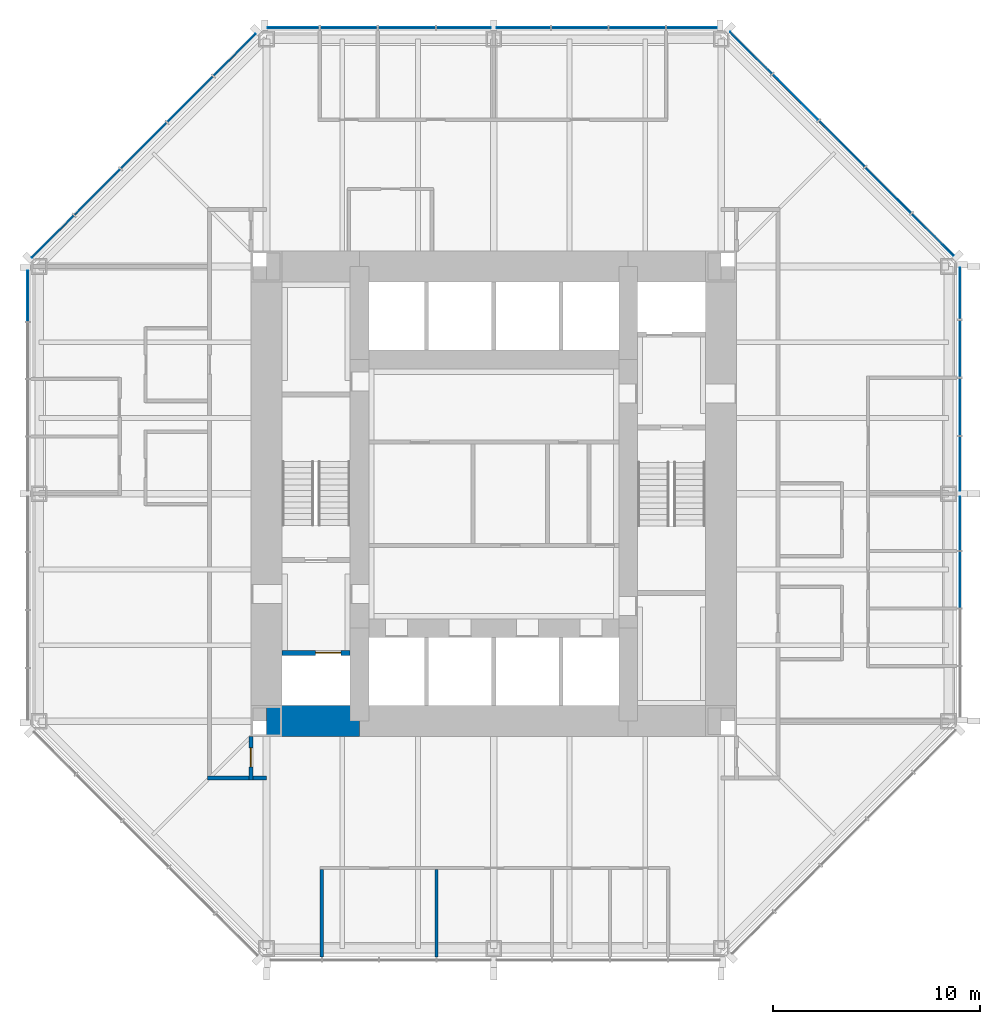
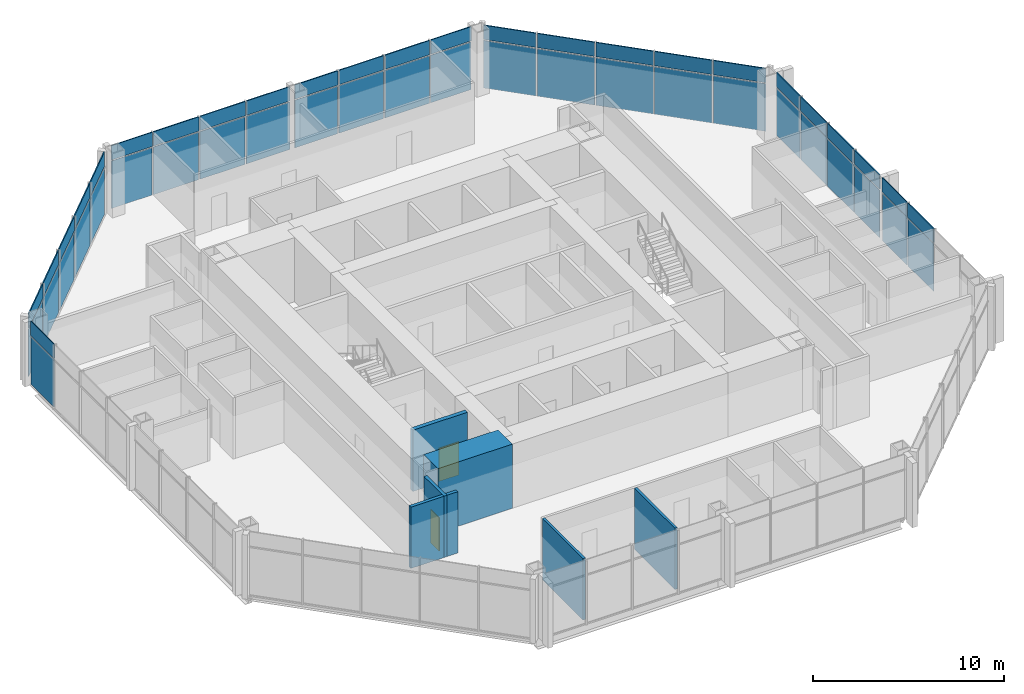
# One storey, part 8 of 12: 50 plates, 6 walls, 2 doors, 2 openings, 5 elements without a shape of their own.
"""IFC4 building model written with IfcOpenShell, lengths in metres."""

from ifc_helpers import new_model, si_unit, direction, frame, frame_2d, origin, origin_2d, place, context, subcontext, project, spatial, rectangle, extrude, material, layer, layer_set, type_object, element, fill, aggregate, save


model = new_model("IFC4")

# Units and contexts
model_context = context("Model", 3, precision=1e-05, world=origin(), true_north=direction((0.0, 1.0)))
body_context = subcontext(model_context, "Body", "Model", "MODEL_VIEW")
ifc_project = project(units=[si_unit("LENGTHUNIT", "METRE"), si_unit("AREAUNIT", "SQUARE_METRE"), si_unit("VOLUMEUNIT", "CUBIC_METRE"), si_unit("PLANEANGLEUNIT", "RADIAN"), si_unit("MASSUNIT", "GRAM", prefix="KILO")], contexts=[model_context])

# Site, building, storey
site_placement = place(None, origin())
site = spatial("IfcSite", under=ifc_project, at=site_placement, CompositionType="ELEMENT")
building_placement = place(site_placement, origin())
building = spatial("IfcBuilding", under=site, at=building_placement, Name="Trevanion Tower", CompositionType="ELEMENT")
storey_placement = place(building_placement, frame((0.0, 0.0, 145.89990234375)))
storey = spatial("IfcBuildingStorey", under=building, at=storey_placement, Name="L34", CompositionType="ELEMENT", Elevation=145.89990234375)

# Curtain wall, plates
ifc_material_1 = material(Name="Aluminium and glass", Category="aluminium")
curtain_wall_type = type_object("IfcCurtainWallType", Name="CW2 curtain wall", PredefinedType="USERDEFINED", material=ifc_material_1)
curtain_wall_1_placement = place(storey_placement, origin())
curtain_wall_1 = element("IfcCurtainWall", 1, at=curtain_wall_1_placement, inside=storey, type_object=curtain_wall_type, Name="CW2 L34 0", ObjectType="UNITISED CURTAIN WALL", PredefinedType="USERDEFINED")
ifc_material_2 = material(Name="Aluminium spandrel panel", Category="aluminium")
ifc_layer_1 = layer(ifc_material_2, 0.06005859375)
ifc_layer_set_1 = layer_set([ifc_layer_1], Name="CW2 spandrel panel")
plate_type_1 = type_object("IfcPlateType", Name="CW2 spandrel panel", PredefinedType="CURTAIN_PANEL", material=ifc_layer_set_1)
plate_1_placement = place(storey_placement, frame((22.550048828125, -4.16162109375, 2.99755859375), z_axis=(0.0, 0.0, 1.0), x_axis=(0.0, 1.0, 0.0)))
plate_1 = element("IfcPlate", 2, at=plate_1_placement, type_object=plate_type_1, Name="CW2 panel 3.2", PredefinedType="CURTAIN_PANEL", context=body_context, shape_type="SweptSolid", body=[
    extrude(rectangle(XDim=2.699462890625, YDim=0.06005859375, at=origin_2d()), origin(), (0.0, 0.0, 1.0), 0.91259765625),
])
plate_2_placement = place(storey_placement, frame((22.550048828125, -1.443603515625, 2.99755859375), z_axis=(0.0, 0.0, 1.0), x_axis=(0.0, 1.0, 0.0)))
plate_2 = element("IfcPlate", 3, at=plate_2_placement, type_object=plate_type_1, Name="CW2 panel 4.2", PredefinedType="CURTAIN_PANEL", context=body_context, shape_type="SweptSolid", body=[
    extrude(rectangle(XDim=2.5869140625, YDim=0.06005859375, at=origin_2d()), origin(), (0.0, 0.0, 1.0), 0.91259765625),
])
plate_3_placement = place(storey_placement, frame((22.550048828125, 1.459716796875, 2.99755859375), z_axis=(0.0, 0.0, 1.0), x_axis=(0.0, 1.0, 0.0)))
plate_3 = element("IfcPlate", 4, at=plate_3_placement, type_object=plate_type_1, Name="CW2 panel 5.2", PredefinedType="CURTAIN_PANEL", context=body_context, shape_type="SweptSolid", body=[
    extrude(rectangle(XDim=2.619384765625, YDim=0.06005859375, at=origin_2d()), origin(), (0.0, 0.0, 1.0), 0.91259765625),
])
plate_4_placement = place(storey_placement, frame((22.550048828125, 4.21044921875, 2.99755859375), z_axis=(0.0, 0.0, 1.0), x_axis=(0.0, 1.0, 0.0)))
plate_4 = element("IfcPlate", 5, at=plate_4_placement, type_object=plate_type_1, Name="CW2 panel 6.2", PredefinedType="CURTAIN_PANEL", context=body_context, shape_type="SweptSolid", body=[
    extrude(rectangle(XDim=2.73193359375, YDim=0.06005859375, at=origin_2d()), origin(), (0.0, 0.0, 1.0), 0.91259765625),
])
plate_5_placement = place(storey_placement, frame((22.550048828125, 7.017333984375, 2.99755859375), z_axis=(0.0, 0.0, 1.0), x_axis=(0.0, 1.0, 0.0)))
plate_5 = element("IfcPlate", 6, at=plate_5_placement, type_object=plate_type_1, Name="CW2 panel 7.2", PredefinedType="CURTAIN_PANEL", context=body_context, shape_type="SweptSolid", body=[
    extrude(rectangle(XDim=2.73193359375, YDim=0.06005859375, at=origin_2d()), origin(), (0.0, 0.0, 1.0), 0.91259765625),
])
plate_6_placement = place(storey_placement, frame((22.550048828125, 9.693115234375, 2.99755859375), z_axis=(0.0, 0.0, 1.0), x_axis=(0.0, 1.0, 0.0)))
plate_6 = element("IfcPlate", 7, at=plate_6_placement, type_object=plate_type_1, Name="CW2 panel 8.2", PredefinedType="CURTAIN_PANEL", context=body_context, shape_type="SweptSolid", body=[
    extrude(rectangle(XDim=2.469482421875, YDim=0.06005859375, at=origin_2d()), origin(), (0.0, 0.0, 1.0), 0.91259765625),
])

curtain_wall_2_placement = place(storey_placement, origin())
curtain_wall_2 = element("IfcCurtainWall", 8, at=curtain_wall_2_placement, inside=storey, type_object=curtain_wall_type, Name="CW2 L34 1", ObjectType="UNITISED CURTAIN WALL", PredefinedType="USERDEFINED")
plate_7_placement = place(storey_placement, frame((21.2421875, 12.53564453125, 2.99755859375), z_axis=(0.0, 0.0, 1.0), x_axis=(-0.707106781187, 0.707106781187, 0.0)))
plate_7 = element("IfcPlate", 9, at=plate_7_placement, type_object=plate_type_1, Name="CW2 panel 1.2", PredefinedType="CURTAIN_PANEL", context=body_context, shape_type="SweptSolid", body=[
    extrude(rectangle(XDim=2.8388671875, YDim=0.06005859375, at=origin_2d()), origin(), (0.0, 0.0, 1.0), 0.91259765625),
])
plate_8_placement = place(storey_placement, frame((19.089111328125, 14.688720703125, 2.99755859375), z_axis=(0.0, 0.0, 1.0), x_axis=(-0.707106781187, 0.707106781187, 0.0)))
plate_8 = element("IfcPlate", 10, at=plate_8_placement, type_object=plate_type_1, Name="CW2 panel 2.2", PredefinedType="CURTAIN_PANEL", context=body_context, shape_type="SweptSolid", body=[
    extrude(rectangle(XDim=3.101318359375, YDim=0.06005859375, at=origin_2d()), origin(), (0.0, 0.0, 1.0), 0.91259765625),
])
plate_9_placement = place(storey_placement, frame((16.843017578125, 16.934814453125, 2.99755859375), z_axis=(0.0, 0.0, 1.0), x_axis=(-0.707106781187, 0.707106781187, 0.0)))
plate_9 = element("IfcPlate", 11, at=plate_9_placement, type_object=plate_type_1, Name="CW2 panel 3.2", PredefinedType="CURTAIN_PANEL", context=body_context, shape_type="SweptSolid", body=[
    extrude(rectangle(XDim=3.101318359375, YDim=0.06005859375, at=origin_2d()), origin(), (0.0, 0.0, 1.0), 0.91259765625),
])
plate_10_placement = place(storey_placement, frame((14.596923828125, 19.180908203125, 2.99755859375), z_axis=(0.0, 0.0, 1.0), x_axis=(-0.707106781187, 0.707106781187, 0.0)))
plate_10 = element("IfcPlate", 12, at=plate_10_placement, type_object=plate_type_1, Name="CW2 panel 4.2", PredefinedType="CURTAIN_PANEL", context=body_context, shape_type="SweptSolid", body=[
    extrude(rectangle(XDim=3.101318359375, YDim=0.06005859375, at=origin_2d()), origin(), (0.0, 0.0, 1.0), 0.91259765625),
])
plate_11_placement = place(storey_placement, frame((12.443603515625, 21.334228515625, 2.99755859375), z_axis=(0.0, 0.0, 1.0), x_axis=(-0.707106781187, 0.707106781187, 0.0)))
plate_11 = element("IfcPlate", 13, at=plate_11_placement, type_object=plate_type_1, Name="CW2 panel 5.2", PredefinedType="CURTAIN_PANEL", context=body_context, shape_type="SweptSolid", body=[
    extrude(rectangle(XDim=2.8388671875, YDim=0.06005859375, at=origin_2d()), origin(), (0.0, 0.0, 1.0), 0.91259765625),
])

curtain_wall_3_placement = place(storey_placement, origin())
curtain_wall_3 = element("IfcCurtainWall", 14, at=curtain_wall_3_placement, inside=storey, type_object=curtain_wall_type, Name="CW2 L34 2", ObjectType="UNITISED CURTAIN WALL", PredefinedType="USERDEFINED")
plate_12_placement = place(storey_placement, frame((9.579345703125, 22.550048828125, 2.99755859375), z_axis=(0.0, 0.0, 1.0), x_axis=(-1.0, 0.0, 0.0)))
plate_12 = element("IfcPlate", 15, at=plate_12_placement, type_object=plate_type_1, Name="CW2 panel 1.2", PredefinedType="CURTAIN_PANEL", context=body_context, shape_type="SweptSolid", body=[
    extrude(rectangle(XDim=2.43701171875, YDim=0.06005859375, at=origin_2d()), origin(), (0.0, 0.0, 1.0), 0.91259765625),
])
plate_13_placement = place(storey_placement, frame((6.93603515625, 22.550048828125, 2.99755859375), z_axis=(0.0, 0.0, 1.0), x_axis=(-1.0, 0.0, 0.0)))
plate_13 = element("IfcPlate", 16, at=plate_13_placement, type_object=plate_type_1, Name="CW2 panel 2.2", PredefinedType="CURTAIN_PANEL", context=body_context, shape_type="SweptSolid", body=[
    extrude(rectangle(XDim=2.699462890625, YDim=0.06005859375, at=origin_2d()), origin(), (0.0, 0.0, 1.0), 0.91259765625),
])
plate_14_placement = place(storey_placement, frame((4.16162109375, 22.550048828125, 2.99755859375), z_axis=(0.0, 0.0, 1.0), x_axis=(-1.0, 0.0, 0.0)))
plate_14 = element("IfcPlate", 17, at=plate_14_placement, type_object=plate_type_1, Name="CW2 panel 3.2", PredefinedType="CURTAIN_PANEL", context=body_context, shape_type="SweptSolid", body=[
    extrude(rectangle(XDim=2.699462890625, YDim=0.06005859375, at=origin_2d()), origin(), (0.0, 0.0, 1.0), 0.91259765625),
])
plate_15_placement = place(storey_placement, frame((1.443603515625, 22.550048828125, 2.99755859375), z_axis=(0.0, 0.0, 1.0), x_axis=(-1.0, 0.0, 0.0)))
plate_15 = element("IfcPlate", 18, at=plate_15_placement, type_object=plate_type_1, Name="CW2 panel 4.2", PredefinedType="CURTAIN_PANEL", context=body_context, shape_type="SweptSolid", body=[
    extrude(rectangle(XDim=2.5869140625, YDim=0.06005859375, at=origin_2d()), origin(), (0.0, 0.0, 1.0), 0.91259765625),
])
plate_16_placement = place(storey_placement, frame((-1.459716796875, 22.550048828125, 2.99755859375), z_axis=(0.0, 0.0, 1.0), x_axis=(-1.0, 0.0, 0.0)))
plate_16 = element("IfcPlate", 19, at=plate_16_placement, type_object=plate_type_1, Name="CW2 panel 5.2", PredefinedType="CURTAIN_PANEL", context=body_context, shape_type="SweptSolid", body=[
    extrude(rectangle(XDim=2.619384765625, YDim=0.06005859375, at=origin_2d()), origin(), (0.0, 0.0, 1.0), 0.91259765625),
])
plate_17_placement = place(storey_placement, frame((-4.21044921875, 22.550048828125, 2.99755859375), z_axis=(0.0, 0.0, 1.0), x_axis=(-1.0, 0.0, 0.0)))
plate_17 = element("IfcPlate", 20, at=plate_17_placement, type_object=plate_type_1, Name="CW2 panel 6.2", PredefinedType="CURTAIN_PANEL", context=body_context, shape_type="SweptSolid", body=[
    extrude(rectangle(XDim=2.73193359375, YDim=0.06005859375, at=origin_2d()), origin(), (0.0, 0.0, 1.0), 0.91259765625),
])
plate_18_placement = place(storey_placement, frame((-7.017333984375, 22.550048828125, 2.99755859375), z_axis=(0.0, 0.0, 1.0), x_axis=(-1.0, 0.0, 0.0)))
plate_18 = element("IfcPlate", 21, at=plate_18_placement, type_object=plate_type_1, Name="CW2 panel 7.2", PredefinedType="CURTAIN_PANEL", context=body_context, shape_type="SweptSolid", body=[
    extrude(rectangle(XDim=2.73193359375, YDim=0.06005859375, at=origin_2d()), origin(), (0.0, 0.0, 1.0), 0.91259765625),
])
plate_19_placement = place(storey_placement, frame((-9.693115234375, 22.550048828125, 2.99755859375), z_axis=(0.0, 0.0, 1.0), x_axis=(-1.0, 0.0, 0.0)))
plate_19 = element("IfcPlate", 22, at=plate_19_placement, type_object=plate_type_1, Name="CW2 panel 8.2", PredefinedType="CURTAIN_PANEL", context=body_context, shape_type="SweptSolid", body=[
    extrude(rectangle(XDim=2.469482421875, YDim=0.06005859375, at=origin_2d()), origin(), (0.0, 0.0, 1.0), 0.91259765625),
])

curtain_wall_4_placement = place(storey_placement, origin())
curtain_wall_4 = element("IfcCurtainWall", 23, at=curtain_wall_4_placement, inside=storey, type_object=curtain_wall_type, Name="CW2 L34 3", ObjectType="UNITISED CURTAIN WALL", PredefinedType="USERDEFINED")
plate_20_placement = place(storey_placement, frame((-12.53564453125, 21.2421875, 2.99755859375), z_axis=(0.0, 0.0, 1.0), x_axis=(-0.707106781187, -0.707106781187, 0.0)))
plate_20 = element("IfcPlate", 24, at=plate_20_placement, type_object=plate_type_1, Name="CW2 panel 1.2", PredefinedType="CURTAIN_PANEL", context=body_context, shape_type="SweptSolid", body=[
    extrude(rectangle(XDim=2.8388671875, YDim=0.06005859375, at=origin_2d()), origin(), (0.0, 0.0, 1.0), 0.91259765625),
])
plate_21_placement = place(storey_placement, frame((-14.688720703125, 19.089111328125, 2.99755859375), z_axis=(0.0, 0.0, 1.0), x_axis=(-0.707106781187, -0.707106781187, 0.0)))
plate_21 = element("IfcPlate", 25, at=plate_21_placement, type_object=plate_type_1, Name="CW2 panel 2.2", PredefinedType="CURTAIN_PANEL", context=body_context, shape_type="SweptSolid", body=[
    extrude(rectangle(XDim=3.101318359375, YDim=0.06005859375, at=origin_2d()), origin(), (0.0, 0.0, 1.0), 0.91259765625),
])
plate_22_placement = place(storey_placement, frame((-16.934814453125, 16.843017578125, 2.99755859375), z_axis=(0.0, 0.0, 1.0), x_axis=(-0.707106781187, -0.707106781187, 0.0)))
plate_22 = element("IfcPlate", 26, at=plate_22_placement, type_object=plate_type_1, Name="CW2 panel 3.2", PredefinedType="CURTAIN_PANEL", context=body_context, shape_type="SweptSolid", body=[
    extrude(rectangle(XDim=3.101318359375, YDim=0.06005859375, at=origin_2d()), origin(), (0.0, 0.0, 1.0), 0.91259765625),
])
plate_23_placement = place(storey_placement, frame((-19.180908203125, 14.596923828125, 2.99755859375), z_axis=(0.0, 0.0, 1.0), x_axis=(-0.707106781187, -0.707106781187, 0.0)))
plate_23 = element("IfcPlate", 27, at=plate_23_placement, type_object=plate_type_1, Name="CW2 panel 4.2", PredefinedType="CURTAIN_PANEL", context=body_context, shape_type="SweptSolid", body=[
    extrude(rectangle(XDim=3.101318359375, YDim=0.06005859375, at=origin_2d()), origin(), (0.0, 0.0, 1.0), 0.91259765625),
])
plate_24_placement = place(storey_placement, frame((-21.334228515625, 12.443603515625, 2.99755859375), z_axis=(0.0, 0.0, 1.0), x_axis=(-0.707106781187, -0.707106781187, 0.0)))
plate_24 = element("IfcPlate", 28, at=plate_24_placement, type_object=plate_type_1, Name="CW2 panel 5.2", PredefinedType="CURTAIN_PANEL", context=body_context, shape_type="SweptSolid", body=[
    extrude(rectangle(XDim=2.8388671875, YDim=0.06005859375, at=origin_2d()), origin(), (0.0, 0.0, 1.0), 0.91259765625),
])

# Curtain wall, plate
curtain_wall_5_placement = place(storey_placement, origin())
curtain_wall_5 = element("IfcCurtainWall", 29, at=curtain_wall_5_placement, inside=storey, type_object=curtain_wall_type, Name="CW2 L34 4", ObjectType="UNITISED CURTAIN WALL", PredefinedType="USERDEFINED")
plate_25_placement = place(storey_placement, frame((-22.550048828125, 9.579345703125, 2.99755859375), z_axis=(0.0, 0.0, 1.0), x_axis=(0.0, -1.0, 0.0)))
plate_25 = element("IfcPlate", 30, at=plate_25_placement, type_object=plate_type_1, Name="CW2 panel 1.2", PredefinedType="CURTAIN_PANEL", context=body_context, shape_type="SweptSolid", body=[
    extrude(rectangle(XDim=2.43701171875, YDim=0.06005859375, at=origin_2d()), origin(), (0.0, 0.0, 1.0), 0.91259765625),
])

# Plate
ifc_material_3 = material(Name="Insulating glass unit", Category="glass")
ifc_layer_2 = layer(ifc_material_3, 0.028076171875)
ifc_layer_set_2 = layer_set([ifc_layer_2], Name="CW2 vision panel")
plate_type_2 = type_object("IfcPlateType", Name="CW2 vision panel", PredefinedType="CURTAIN_PANEL", material=ifc_layer_set_2)
plate_26_placement = place(storey_placement, frame((22.550048828125, -4.16162109375, -0.114990234375), z_axis=(0.0, 0.0, 1.0), x_axis=(0.0, 1.0, 0.0)))
plate_26 = element("IfcPlate", 31, at=plate_26_placement, type_object=plate_type_2, Name="CW2 panel 3.1", PredefinedType="CURTAIN_PANEL", context=body_context, shape_type="SweptSolid", body=[
    extrude(rectangle(XDim=2.699462890625, YDim=0.028076171875, at=origin_2d()), origin(), (0.0, 0.0, 1.0), 3.03759765625),
])

plate_27_placement = place(storey_placement, frame((22.550048828125, -1.443603515625, -0.114990234375), z_axis=(0.0, 0.0, 1.0), x_axis=(0.0, 1.0, 0.0)))
plate_27 = element("IfcPlate", 32, at=plate_27_placement, type_object=plate_type_2, Name="CW2 panel 4.1", PredefinedType="CURTAIN_PANEL", context=body_context, shape_type="SweptSolid", body=[
    extrude(rectangle(XDim=2.5869140625, YDim=0.028076171875, at=origin_2d()), origin(), (0.0, 0.0, 1.0), 3.03759765625),
])

plate_28_placement = place(storey_placement, frame((22.550048828125, 1.459716796875, -0.114990234375), z_axis=(0.0, 0.0, 1.0), x_axis=(0.0, 1.0, 0.0)))
plate_28 = element("IfcPlate", 33, at=plate_28_placement, type_object=plate_type_2, Name="CW2 panel 5.1", PredefinedType="CURTAIN_PANEL", context=body_context, shape_type="SweptSolid", body=[
    extrude(rectangle(XDim=2.619384765625, YDim=0.028076171875, at=origin_2d()), origin(), (0.0, 0.0, 1.0), 3.03759765625),
])

plate_29_placement = place(storey_placement, frame((22.550048828125, 4.21044921875, -0.114990234375), z_axis=(0.0, 0.0, 1.0), x_axis=(0.0, 1.0, 0.0)))
plate_29 = element("IfcPlate", 34, at=plate_29_placement, type_object=plate_type_2, Name="CW2 panel 6.1", PredefinedType="CURTAIN_PANEL", context=body_context, shape_type="SweptSolid", body=[
    extrude(rectangle(XDim=2.73193359375, YDim=0.028076171875, at=origin_2d()), origin(), (0.0, 0.0, 1.0), 3.03759765625),
])

plate_30_placement = place(storey_placement, frame((22.550048828125, 7.017333984375, -0.114990234375), z_axis=(0.0, 0.0, 1.0), x_axis=(0.0, 1.0, 0.0)))
plate_30 = element("IfcPlate", 35, at=plate_30_placement, type_object=plate_type_2, Name="CW2 panel 7.1", PredefinedType="CURTAIN_PANEL", context=body_context, shape_type="SweptSolid", body=[
    extrude(rectangle(XDim=2.73193359375, YDim=0.028076171875, at=origin_2d()), origin(), (0.0, 0.0, 1.0), 3.03759765625),
])

plate_31_placement = place(storey_placement, frame((22.550048828125, 9.693115234375, -0.114990234375), z_axis=(0.0, 0.0, 1.0), x_axis=(0.0, 1.0, 0.0)))
plate_31 = element("IfcPlate", 36, at=plate_31_placement, type_object=plate_type_2, Name="CW2 panel 8.1", PredefinedType="CURTAIN_PANEL", context=body_context, shape_type="SweptSolid", body=[
    extrude(rectangle(XDim=2.469482421875, YDim=0.028076171875, at=origin_2d()), origin(), (0.0, 0.0, 1.0), 3.03759765625),
])

aggregate(curtain_wall_1, [plate_26, plate_1, plate_27, plate_2, plate_28, plate_3, plate_29, plate_4, plate_30, plate_5, plate_31, plate_6])

plate_32_placement = place(storey_placement, frame((21.2421875, 12.53564453125, -0.114990234375), z_axis=(0.0, 0.0, 1.0), x_axis=(-0.707106781187, 0.707106781187, 0.0)))
plate_32 = element("IfcPlate", 37, at=plate_32_placement, type_object=plate_type_2, Name="CW2 panel 1.1", PredefinedType="CURTAIN_PANEL", context=body_context, shape_type="SweptSolid", body=[
    extrude(rectangle(XDim=2.8388671875, YDim=0.028076171875, at=origin_2d()), origin(), (0.0, 0.0, 1.0), 3.03759765625),
])

plate_33_placement = place(storey_placement, frame((19.089111328125, 14.688720703125, -0.114990234375), z_axis=(0.0, 0.0, 1.0), x_axis=(-0.707106781187, 0.707106781187, 0.0)))
plate_33 = element("IfcPlate", 38, at=plate_33_placement, type_object=plate_type_2, Name="CW2 panel 2.1", PredefinedType="CURTAIN_PANEL", context=body_context, shape_type="SweptSolid", body=[
    extrude(rectangle(XDim=3.101318359375, YDim=0.028076171875, at=origin_2d()), origin(), (0.0, 0.0, 1.0), 3.03759765625),
])

plate_34_placement = place(storey_placement, frame((16.843017578125, 16.934814453125, -0.114990234375), z_axis=(0.0, 0.0, 1.0), x_axis=(-0.707106781187, 0.707106781187, 0.0)))
plate_34 = element("IfcPlate", 39, at=plate_34_placement, type_object=plate_type_2, Name="CW2 panel 3.1", PredefinedType="CURTAIN_PANEL", context=body_context, shape_type="SweptSolid", body=[
    extrude(rectangle(XDim=3.101318359375, YDim=0.028076171875, at=origin_2d()), origin(), (0.0, 0.0, 1.0), 3.03759765625),
])

plate_35_placement = place(storey_placement, frame((14.596923828125, 19.180908203125, -0.114990234375), z_axis=(0.0, 0.0, 1.0), x_axis=(-0.707106781187, 0.707106781187, 0.0)))
plate_35 = element("IfcPlate", 40, at=plate_35_placement, type_object=plate_type_2, Name="CW2 panel 4.1", PredefinedType="CURTAIN_PANEL", context=body_context, shape_type="SweptSolid", body=[
    extrude(rectangle(XDim=3.101318359375, YDim=0.028076171875, at=origin_2d()), origin(), (0.0, 0.0, 1.0), 3.03759765625),
])

plate_36_placement = place(storey_placement, frame((12.443603515625, 21.334228515625, -0.114990234375), z_axis=(0.0, 0.0, 1.0), x_axis=(-0.707106781187, 0.707106781187, 0.0)))
plate_36 = element("IfcPlate", 41, at=plate_36_placement, type_object=plate_type_2, Name="CW2 panel 5.1", PredefinedType="CURTAIN_PANEL", context=body_context, shape_type="SweptSolid", body=[
    extrude(rectangle(XDim=2.8388671875, YDim=0.028076171875, at=origin_2d()), origin(), (0.0, 0.0, 1.0), 3.03759765625),
])

aggregate(curtain_wall_2, [plate_32, plate_7, plate_33, plate_8, plate_34, plate_9, plate_35, plate_10, plate_36, plate_11])

plate_37_placement = place(storey_placement, frame((9.579345703125, 22.550048828125, -0.114990234375), z_axis=(0.0, 0.0, 1.0), x_axis=(-1.0, 0.0, 0.0)))
plate_37 = element("IfcPlate", 42, at=plate_37_placement, type_object=plate_type_2, Name="CW2 panel 1.1", PredefinedType="CURTAIN_PANEL", context=body_context, shape_type="SweptSolid", body=[
    extrude(rectangle(XDim=2.43701171875, YDim=0.028076171875, at=origin_2d()), origin(), (0.0, 0.0, 1.0), 3.03759765625),
])

plate_38_placement = place(storey_placement, frame((6.93603515625, 22.550048828125, -0.114990234375), z_axis=(0.0, 0.0, 1.0), x_axis=(-1.0, 0.0, 0.0)))
plate_38 = element("IfcPlate", 43, at=plate_38_placement, type_object=plate_type_2, Name="CW2 panel 2.1", PredefinedType="CURTAIN_PANEL", context=body_context, shape_type="SweptSolid", body=[
    extrude(rectangle(XDim=2.699462890625, YDim=0.028076171875, at=origin_2d()), origin(), (0.0, 0.0, 1.0), 3.03759765625),
])

plate_39_placement = place(storey_placement, frame((4.16162109375, 22.550048828125, -0.114990234375), z_axis=(0.0, 0.0, 1.0), x_axis=(-1.0, 0.0, 0.0)))
plate_39 = element("IfcPlate", 44, at=plate_39_placement, type_object=plate_type_2, Name="CW2 panel 3.1", PredefinedType="CURTAIN_PANEL", context=body_context, shape_type="SweptSolid", body=[
    extrude(rectangle(XDim=2.699462890625, YDim=0.028076171875, at=origin_2d()), origin(), (0.0, 0.0, 1.0), 3.03759765625),
])

plate_40_placement = place(storey_placement, frame((1.443603515625, 22.550048828125, -0.114990234375), z_axis=(0.0, 0.0, 1.0), x_axis=(-1.0, 0.0, 0.0)))
plate_40 = element("IfcPlate", 45, at=plate_40_placement, type_object=plate_type_2, Name="CW2 panel 4.1", PredefinedType="CURTAIN_PANEL", context=body_context, shape_type="SweptSolid", body=[
    extrude(rectangle(XDim=2.5869140625, YDim=0.028076171875, at=origin_2d()), origin(), (0.0, 0.0, 1.0), 3.03759765625),
])

plate_41_placement = place(storey_placement, frame((-1.459716796875, 22.550048828125, -0.114990234375), z_axis=(0.0, 0.0, 1.0), x_axis=(-1.0, 0.0, 0.0)))
plate_41 = element("IfcPlate", 46, at=plate_41_placement, type_object=plate_type_2, Name="CW2 panel 5.1", PredefinedType="CURTAIN_PANEL", context=body_context, shape_type="SweptSolid", body=[
    extrude(rectangle(XDim=2.619384765625, YDim=0.028076171875, at=origin_2d()), origin(), (0.0, 0.0, 1.0), 3.03759765625),
])

plate_42_placement = place(storey_placement, frame((-4.21044921875, 22.550048828125, -0.114990234375), z_axis=(0.0, 0.0, 1.0), x_axis=(-1.0, 0.0, 0.0)))
plate_42 = element("IfcPlate", 47, at=plate_42_placement, type_object=plate_type_2, Name="CW2 panel 6.1", PredefinedType="CURTAIN_PANEL", context=body_context, shape_type="SweptSolid", body=[
    extrude(rectangle(XDim=2.73193359375, YDim=0.028076171875, at=origin_2d()), origin(), (0.0, 0.0, 1.0), 3.03759765625),
])

plate_43_placement = place(storey_placement, frame((-7.017333984375, 22.550048828125, -0.114990234375), z_axis=(0.0, 0.0, 1.0), x_axis=(-1.0, 0.0, 0.0)))
plate_43 = element("IfcPlate", 48, at=plate_43_placement, type_object=plate_type_2, Name="CW2 panel 7.1", PredefinedType="CURTAIN_PANEL", context=body_context, shape_type="SweptSolid", body=[
    extrude(rectangle(XDim=2.73193359375, YDim=0.028076171875, at=origin_2d()), origin(), (0.0, 0.0, 1.0), 3.03759765625),
])

plate_44_placement = place(storey_placement, frame((-9.693115234375, 22.550048828125, -0.114990234375), z_axis=(0.0, 0.0, 1.0), x_axis=(-1.0, 0.0, 0.0)))
plate_44 = element("IfcPlate", 49, at=plate_44_placement, type_object=plate_type_2, Name="CW2 panel 8.1", PredefinedType="CURTAIN_PANEL", context=body_context, shape_type="SweptSolid", body=[
    extrude(rectangle(XDim=2.469482421875, YDim=0.028076171875, at=origin_2d()), origin(), (0.0, 0.0, 1.0), 3.03759765625),
])

aggregate(curtain_wall_3, [plate_37, plate_12, plate_38, plate_13, plate_39, plate_14, plate_40, plate_15, plate_41, plate_16, plate_42, plate_17, plate_43, plate_18, plate_44, plate_19])

plate_45_placement = place(storey_placement, frame((-12.53564453125, 21.2421875, -0.114990234375), z_axis=(0.0, 0.0, 1.0), x_axis=(-0.707106781187, -0.707106781187, 0.0)))
plate_45 = element("IfcPlate", 50, at=plate_45_placement, type_object=plate_type_2, Name="CW2 panel 1.1", PredefinedType="CURTAIN_PANEL", context=body_context, shape_type="SweptSolid", body=[
    extrude(rectangle(XDim=2.8388671875, YDim=0.028076171875, at=origin_2d()), origin(), (0.0, 0.0, 1.0), 3.03759765625),
])

plate_46_placement = place(storey_placement, frame((-14.688720703125, 19.089111328125, -0.114990234375), z_axis=(0.0, 0.0, 1.0), x_axis=(-0.707106781187, -0.707106781187, 0.0)))
plate_46 = element("IfcPlate", 51, at=plate_46_placement, type_object=plate_type_2, Name="CW2 panel 2.1", PredefinedType="CURTAIN_PANEL", context=body_context, shape_type="SweptSolid", body=[
    extrude(rectangle(XDim=3.101318359375, YDim=0.028076171875, at=origin_2d()), origin(), (0.0, 0.0, 1.0), 3.03759765625),
])

plate_47_placement = place(storey_placement, frame((-16.934814453125, 16.843017578125, -0.114990234375), z_axis=(0.0, 0.0, 1.0), x_axis=(-0.707106781187, -0.707106781187, 0.0)))
plate_47 = element("IfcPlate", 52, at=plate_47_placement, type_object=plate_type_2, Name="CW2 panel 3.1", PredefinedType="CURTAIN_PANEL", context=body_context, shape_type="SweptSolid", body=[
    extrude(rectangle(XDim=3.101318359375, YDim=0.028076171875, at=origin_2d()), origin(), (0.0, 0.0, 1.0), 3.03759765625),
])

plate_48_placement = place(storey_placement, frame((-19.180908203125, 14.596923828125, -0.114990234375), z_axis=(0.0, 0.0, 1.0), x_axis=(-0.707106781187, -0.707106781187, 0.0)))
plate_48 = element("IfcPlate", 53, at=plate_48_placement, type_object=plate_type_2, Name="CW2 panel 4.1", PredefinedType="CURTAIN_PANEL", context=body_context, shape_type="SweptSolid", body=[
    extrude(rectangle(XDim=3.101318359375, YDim=0.028076171875, at=origin_2d()), origin(), (0.0, 0.0, 1.0), 3.03759765625),
])

plate_49_placement = place(storey_placement, frame((-21.334228515625, 12.443603515625, -0.114990234375), z_axis=(0.0, 0.0, 1.0), x_axis=(-0.707106781187, -0.707106781187, 0.0)))
plate_49 = element("IfcPlate", 54, at=plate_49_placement, type_object=plate_type_2, Name="CW2 panel 5.1", PredefinedType="CURTAIN_PANEL", context=body_context, shape_type="SweptSolid", body=[
    extrude(rectangle(XDim=2.8388671875, YDim=0.028076171875, at=origin_2d()), origin(), (0.0, 0.0, 1.0), 3.03759765625),
])

aggregate(curtain_wall_4, [plate_45, plate_20, plate_46, plate_21, plate_47, plate_22, plate_48, plate_23, plate_49, plate_24])

plate_50_placement = place(storey_placement, frame((-22.550048828125, 9.579345703125, -0.114990234375), z_axis=(0.0, 0.0, 1.0), x_axis=(0.0, -1.0, 0.0)))
plate_50 = element("IfcPlate", 55, at=plate_50_placement, type_object=plate_type_2, Name="CW2 panel 1.1", PredefinedType="CURTAIN_PANEL", context=body_context, shape_type="SweptSolid", body=[
    extrude(rectangle(XDim=2.43701171875, YDim=0.028076171875, at=origin_2d()), origin(), (0.0, 0.0, 1.0), 3.03759765625),
])

aggregate(curtain_wall_5, [plate_50, plate_25])

# Walls
ifc_material_4 = material(Name="Concrete 10,000 psi", Category="concrete")
ifc_layer_3 = layer(ifc_material_4, 1.5)
ifc_layer_set_3 = layer_set([ifc_layer_3], Name="CW1 core wall 1500")
wall_type_1 = type_object("IfcWallType", Name="CW1 core wall 1500", PredefinedType="SHEAR", material=ifc_layer_set_3)
wall_1_placement = place(storey_placement, frame((-11.0, -11.0, 0.0), z_axis=(0.0, 0.0, 1.0), x_axis=(1.0, 0.0, 0.0)))
element("IfcWall", 56, at=wall_1_placement, inside=storey, type_object=wall_type_1, Name="CW1 CS1 L34", PredefinedType="SHEAR", context=body_context, shape_type="SweptSolid", body=[
    extrude(rectangle(XDim=4.5, YDim=1.5, at=frame_2d((2.25, 0.0))), origin(), (0.0, 0.0, 1.0), 4.10009765625),
])
ifc_material_5 = material(Name="Gypsum board on steel studs", Category="steel")
ifc_layer_4 = layer(ifc_material_5, 0.14990234375)
ifc_layer_set_4 = layer_set([ifc_layer_4], Name="PT1 partition 150")
wall_type_2 = type_object("IfcWallType", Name="PT1 partition 150", PredefinedType="PARTITIONING", material=ifc_layer_set_4)
for number, where, z_axis, x_axis, name in (
    (57, (-8.322998046875, -18.175048828125, 0.0), (0.0, 0.0, 1.0), (0.0, -1.0, 0.0), "PT1 L34 FC3S0"),
    (58, (-2.77490234375, -18.175048828125, 0.0), (0.0, 0.0, 1.0), (0.0, -1.0, 0.0), "PT1 L34 FC3S2"),
):
    element("IfcWall", number, at=place(storey_placement, frame(where, z_axis=z_axis, x_axis=x_axis)), inside=storey, type_object=wall_type_2, Name=name, PredefinedType="PARTITIONING", context=body_context, shape_type="SweptSolid", body=[
        extrude(rectangle(XDim=4.239990234375, YDim=0.14990234375, at=frame_2d((2.1201171875, 0.0))), origin(), (0.0, 0.0, 1.0), 3.91015625),
    ])

# Wall, opening, door
ifc_material_6 = material(Name="Concrete masonry, grouted", Category="masonry")
ifc_layer_5 = layer(ifc_material_6, 0.199951171875)
ifc_layer_set_5 = layer_set([ifc_layer_5], Name="PT2 partition 200 1 HR")
wall_type_3 = type_object("IfcWallType", Name="PT2 partition 200 1 HR", PredefinedType="PARTITIONING", material=ifc_layer_set_5)
wall_2_placement = place(storey_placement, frame((-11.75, -11.75, 0.0), z_axis=(0.0, 0.0, 1.0), x_axis=(0.0, -1.0, 0.0)))
wall_2 = element("IfcWall", 59, at=wall_2_placement, inside=storey, type_object=wall_type_3, Name="PT2 L34 OUSW1", PredefinedType="PARTITIONING", context=body_context, shape_type="SweptSolid", body=[
    extrude(rectangle(XDim=2.10009765625, YDim=0.199951171875, at=frame_2d((1.050048828125, 0.0))), origin(), (0.0, 0.0, 1.0), 3.91015625),
])
opening_1_placement = place(wall_2_placement, frame((0.54248046875, 0.0, 0.0)))
opening_1 = element("IfcOpeningElement", 60, at=opening_1_placement, cuts=wall_2, Name="Opening 34-022", PredefinedType="OPENING", context=body_context, shape_type="SweptSolid", body=[
    extrude(rectangle(XDim=0.9150390625, YDim=2.134033203125, at=frame_2d((0.45751953125, 1.06689453125))), frame((0.0, 0.10986328125, 0.0), z_axis=(0.0, -1.0, 0.0), x_axis=(1.0, 0.0, 0.0)), (0.0, 0.0, 1.0), 0.219970703125),
])
ifc_material_7 = material(Name="Timber veneer, fire rated", Category="wood")
door_type_1 = type_object("IfcDoorType", Name="D10 office door in a one hour wall", OperationType="SINGLE_SWING_LEFT", PredefinedType="DOOR", material=ifc_material_7)
door_1_placement = place(opening_1_placement, origin())
door_1 = element("IfcDoor", 61, at=door_1_placement, inside=storey, type_object=door_type_1, Name="Door 34-022", OperationType="SINGLE_SWING_LEFT", OverallHeight=2.134033203125, OverallWidth=0.9150390625, PredefinedType="DOOR", context=body_context, shape_type="SweptSolid", body=[
    extrude(rectangle(XDim=0.9150390625, YDim=2.134033203125, at=frame_2d((0.45751953125, 1.06689453125))), frame((0.0, 0.02490234375, 0.0), z_axis=(0.0, -1.0, 0.0), x_axis=(1.0, 0.0, 0.0)), (0.0, 0.0, 1.0), 0.050048828125),
])
fill(opening_1, door_1)

# Wall
wall_3_placement = place(storey_placement, frame((-11.0, -13.75, 0.0), z_axis=(0.0, 0.0, 1.0), x_axis=(-1.0, 0.0, 0.0)))
element("IfcWall", 62, at=wall_3_placement, inside=storey, type_object=wall_type_3, Name="PT2 L34 OUSW2", PredefinedType="PARTITIONING", context=body_context, shape_type="SweptSolid", body=[
    extrude(rectangle(XDim=2.85009765625, YDim=0.199951171875, at=frame_2d((1.425048828125, 0.0))), origin(), (0.0, 0.0, 1.0), 3.91015625),
])

# Wall, opening, door
ifc_material_8 = material(Name="Concrete masonry, grouted, two-hour", Category="masonry")
ifc_layer_6 = layer(ifc_material_8, 0.25)
ifc_layer_set_6 = layer_set([ifc_layer_6], Name="PT3 partition 250 2 HR")
wall_type_4 = type_object("IfcWallType", Name="PT3 partition 250 2 HR", PredefinedType="PARTITIONING", material=ifc_layer_set_6)
wall_4_placement = place(storey_placement, frame((-6.949951171875, -7.699951171875, 0.0), z_axis=(0.0, 0.0, 1.0), x_axis=(-1.0, 0.0, 0.0)))
wall_4 = element("IfcWall", 63, at=wall_4_placement, inside=storey, type_object=wall_type_4, Name="PT3 L34 WP3", PredefinedType="PARTITIONING", context=body_context, shape_type="SweptSolid", body=[
    extrude(rectangle(XDim=3.300048828125, YDim=0.25, at=frame_2d((1.64990234375, 0.0))), origin(), (0.0, 0.0, 1.0), 3.91015625),
])
opening_2_placement = place(wall_4_placement, frame((0.449951171875, 0.0, 0.0)))
opening_2 = element("IfcOpeningElement", 64, at=opening_2_placement, cuts=wall_4, Name="Opening 34-008", PredefinedType="OPENING", context=body_context, shape_type="SweptSolid", body=[
    extrude(rectangle(XDim=1.218994140625, YDim=2.134033203125, at=frame_2d((0.609375, 1.06689453125))), frame((0.0, 0.135009765625, 0.0), z_axis=(0.0, -1.0, 0.0), x_axis=(1.0, 0.0, 0.0)), (0.0, 0.0, 1.0), 0.27001953125),
])
ifc_material_9 = material(Name="Stainless steel, fire rated", Category="steel")
door_type_2 = type_object("IfcDoorType", Name="LD2 fire service lift landing door", OperationType="SLIDING_TO_LEFT", PredefinedType="DOOR", material=ifc_material_9)
door_2_placement = place(opening_2_placement, origin())
door_2 = element("IfcDoor", 65, at=door_2_placement, inside=storey, type_object=door_type_2, Name="Door 34-008", OperationType="SLIDING_TO_LEFT", OverallHeight=2.134033203125, OverallWidth=1.218994140625, PredefinedType="DOOR", context=body_context, shape_type="SweptSolid", body=[
    extrude(rectangle(XDim=1.218994140625, YDim=2.134033203125, at=frame_2d((0.609375, 1.06689453125))), frame((0.0, 0.02490234375, 0.0), z_axis=(0.0, -1.0, 0.0), x_axis=(1.0, 0.0, 0.0)), (0.0, 0.0, 1.0), 0.050048828125),
])
fill(opening_2, door_2)

save(model, "model.ifc")
